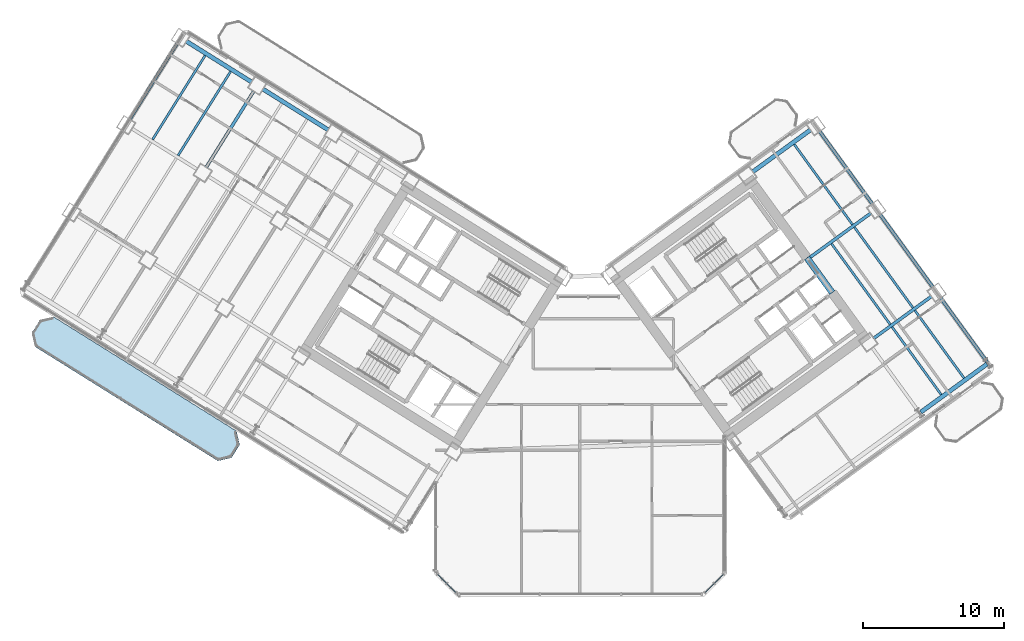
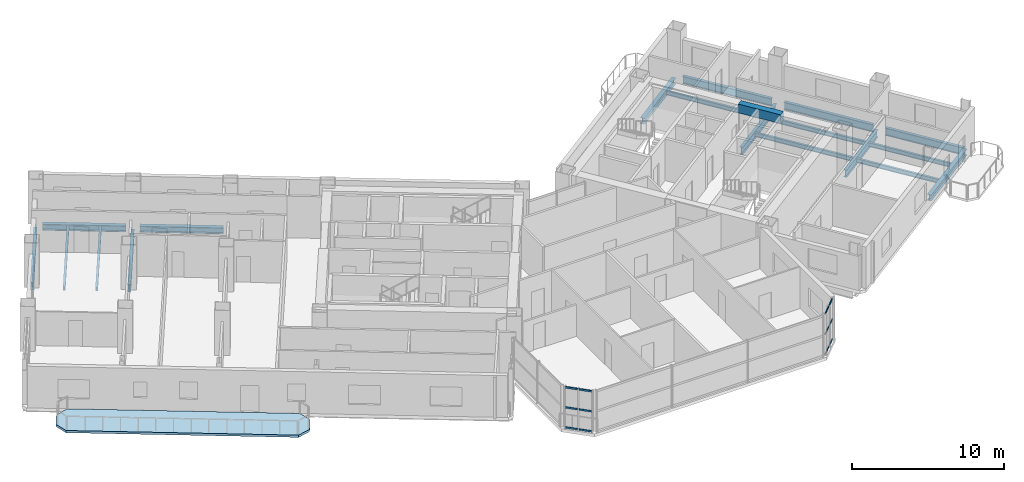
# One storey, part 12 of 28: 19 beams, 12 members, 1 slab, 2 elements without a shape of their own.
"""IFC4 building model written with IfcOpenShell, lengths in metres."""

from ifc_helpers import new_model, si_unit, direction, frame, origin, origin_2d, place, context, subcontext, project, spatial, polyline, rectangle, hollow_rectangle, i_section, outline, extrude, source, transform, mapped, material, layer, layer_set, material_profile, profile_set, type_object, element, aggregate, save


model = new_model("IFC4")

# Units and contexts
model_context = context("Model", 3, precision=1e-05, world=origin(), true_north=direction((0.0, 1.0)))
body_context = subcontext(model_context, "Body", "Model", "MODEL_VIEW")
ifc_project = project(units=[si_unit("LENGTHUNIT", "METRE"), si_unit("AREAUNIT", "SQUARE_METRE"), si_unit("VOLUMEUNIT", "CUBIC_METRE"), si_unit("PLANEANGLEUNIT", "RADIAN"), si_unit("MASSUNIT", "GRAM", prefix="KILO")], contexts=[model_context])

# Site, building, storey
site_placement = place(None, origin())
site = spatial("IfcSite", under=ifc_project, at=site_placement, CompositionType="ELEMENT")
building_placement = place(site_placement, origin())
building = spatial("IfcBuilding", under=site, at=building_placement, Name="Tlacorven Tower", CompositionType="ELEMENT")
storey_placement = place(building_placement, frame((0.0, 0.0, 42.0)))
storey = spatial("IfcBuildingStorey", under=building, at=storey_placement, Name="L10", CompositionType="ELEMENT", Elevation=42.0)

# Beams
ifc_material_1 = material(Name="Concrete C60/75", Category="concrete")
ifc_material_profile_1 = material_profile(ifc_material_1, rectangle(XDim=0.449951171875, YDim=0.699951171875, at=origin_2d()), Name="RC 450X700")
ifc_profile_set_1 = profile_set([ifc_material_profile_1], Name="Concrete C60/75")
beam_type_1 = type_object("IfcBeamType", Name="BM-LNT-700", PredefinedType="LINTEL", material=ifc_profile_set_1)
shared_shape_1 = source(origin(), body_context, "Body", "SweptSolid", [
    extrude(rectangle(XDim=0.449951171875, YDim=0.699951171875, at=origin_2d()), origin(), (0.0, 0.0, 1.0), 3.050048828125),
])
beam_1_placement = place(storey_placement, frame((59.856689453125, 23.345947265625, 3.0), z_axis=(-0.587776590479, 0.80902328748, 0.0), x_axis=(-0.80902328748, -0.587776590479, 0.0)))
element("IfcBeam", 1, at=beam_1_placement, inside=storey, type_object=beam_type_1, Name="L10 E core coupling lintel beam E2", PredefinedType="LINTEL", context=body_context, shape_type="MappedRepresentation", body=[
    mapped(shared_shape_1, transform((0.0, 0.0, 0.0), scale=1.0)),
])
ifc_material_2 = material(Name="Steel S355J2", Category="steel")
ifc_material_profile_2 = material_profile(ifc_material_2, i_section(OverallWidth=0.300048828125, OverallDepth=0.489990234375, WebThickness=0.011962890625, FlangeThickness=0.02294921875, at=origin_2d()), Name="HEA 500")
ifc_profile_set_2 = profile_set([ifc_material_profile_2], Name="Steel S355J2")
beam_type_2 = type_object("IfcBeamType", Name="BM-SPN-500", PredefinedType="SPANDREL", material=ifc_profile_set_2)
shared_shape_2 = source(origin(), body_context, "Body", "SweptSolid", [
    extrude(i_section(OverallWidth=0.300048828125, OverallDepth=0.489990234375, WebThickness=0.011962890625, FlangeThickness=0.02294921875, at=origin_2d()), origin(), (0.0, 0.0, 1.0), 5.5),
])
for number, where, z_axis, x_axis, name in (
    (2, (24.118896484375, 34.88134765625, -0.4951171875), (-0.848050668838, 0.52991514706, 0.0), (-0.52991514706, -0.848050668838, 0.0), "L10 beam BM-L10-WL1-4"),
    (3, (18.69140625, 38.272705078125, -0.4951171875), (-0.848050668838, 0.52991514706, 0.0), (-0.52991514706, -0.848050668838, 0.0), "L10 beam BM-L10-WL1-5"),
):
    element("IfcBeam", number, at=place(storey_placement, frame(where, z_axis=z_axis, x_axis=x_axis)), inside=storey, type_object=beam_type_2, Name=name, PredefinedType="SPANDREL", context=body_context, shape_type="MappedRepresentation", body=[
        mapped(shared_shape_2, transform((0.0, 0.0, 0.0), scale=1.0)),
    ])
ifc_material_profile_3 = material_profile(ifc_material_2, i_section(OverallWidth=0.219970703125, OverallDepth=0.60009765625, WebThickness=0.011962890625, FlangeThickness=0.01904296875, at=origin_2d()), Name="IPE 600")
ifc_profile_set_3 = profile_set([ifc_material_profile_3], Name="Steel S355J2")
beam_type_3 = type_object("IfcBeamType", Name="BM-TWR-600", PredefinedType="BEAM", material=ifc_profile_set_3)
shared_shape_3 = source(origin(), body_context, "Body", "SweptSolid", [
    extrude(i_section(OverallWidth=0.219970703125, OverallDepth=0.60009765625, WebThickness=0.011962890625, FlangeThickness=0.01904296875, at=origin_2d()), origin(), (0.0, 0.0, 1.0), 5.650146484375),
])
beam_2_placement = place(storey_placement, frame((70.853271484375, 18.41845703125, -0.550048828125), z_axis=(-0.587783675561, 0.809018139935, 0.0), x_axis=(-0.809018139935, -0.587783675561, 0.0)))
element("IfcBeam", 4, at=beam_2_placement, inside=storey, type_object=beam_type_3, Name="L10 beam BM-L10-ET4-1", PredefinedType="BEAM", context=body_context, shape_type="MappedRepresentation", body=[
    mapped(shared_shape_3, transform((0.0, 0.0, 0.0), scale=1.0)),
])
shared_shape_4 = source(origin(), body_context, "Body", "SweptSolid", [
    extrude(i_section(OverallWidth=0.219970703125, OverallDepth=0.60009765625, WebThickness=0.011962890625, FlangeThickness=0.01904296875, at=origin_2d()), origin(), (0.0, 0.0, 1.0), 6.39990234375),
])
for number, where, z_axis, x_axis, name in (
    (5, (67.003173828125, 23.717529296875, -0.550048828125), (-0.587772420479, 0.809026317077, 0.0), (-0.809026317077, -0.587772420479, 0.0), "L10 beam BM-L10-ET4-2"),
    (6, (62.71240234375, 29.62353515625, -0.550048828125), (-0.587815528162, 0.808994996803, 0.0), (-0.808994996803, -0.587815528162, 0.0), "L10 beam BM-L10-ET4-3"),
):
    element("IfcBeam", number, at=place(storey_placement, frame(where, z_axis=z_axis, x_axis=x_axis)), inside=storey, type_object=beam_type_3, Name=name, PredefinedType="BEAM", context=body_context, shape_type="MappedRepresentation", body=[
        mapped(shared_shape_4, transform((0.0, 0.0, 0.0), scale=1.0)),
    ])
shared_shape_5 = source(origin(), body_context, "Body", "SweptSolid", [
    extrude(i_section(OverallWidth=0.219970703125, OverallDepth=0.60009765625, WebThickness=0.011962890625, FlangeThickness=0.01904296875, at=origin_2d()), origin(), (0.0, 0.0, 1.0), 6.400146484375),
])
for number, where, z_axis, x_axis, name in (
    (7, (18.83447265625, 37.652587890625, -0.550048828125), (-0.529933789039, -0.848039019877, 0.0), (0.848039019877, -0.529933789039, 0.0), "L10 beam BM-L10-WT5-1"),
    (8, (13.406982421875, 41.044189453125, -0.550048828125), (-0.529933789039, -0.848039019877, 0.0), (0.848039019877, -0.529933789039, 0.0), "L10 beam BM-L10-WT6-1"),
):
    element("IfcBeam", number, at=place(storey_placement, frame(where, z_axis=z_axis, x_axis=x_axis)), inside=storey, type_object=beam_type_3, Name=name, PredefinedType="BEAM", context=body_context, shape_type="MappedRepresentation", body=[
        mapped(shared_shape_5, transform((0.0, 0.0, 0.0), scale=1.0)),
    ])
ifc_material_profile_4 = material_profile(ifc_material_2, i_section(OverallWidth=0.159912109375, OverallDepth=0.330078125, WebThickness=0.007568359375, FlangeThickness=0.011474609375, at=origin_2d()), Name="IPE 330")
ifc_profile_set_4 = profile_set([ifc_material_profile_4], Name="Steel S355J2")
beam_type_4 = type_object("IfcBeamType", Name="BM-JST-330", PredefinedType="JOIST", material=ifc_profile_set_4)
shared_shape_6 = source(origin(), body_context, "Body", "SweptSolid", [
    extrude(i_section(OverallWidth=0.159912109375, OverallDepth=0.330078125, WebThickness=0.007568359375, FlangeThickness=0.011474609375, at=origin_2d()), origin(), (0.0, 0.0, 1.0), 7.030029296875),
])
for number, where, z_axis, x_axis, name in (
    (9, (17.181640625, 39.033447265625, -0.4150390625), (-0.529911532383, -0.848052927504, 0.0), (0.848052927504, -0.529911532383, 0.0), "L10 beam BM-L10-WJ5-1-1"),
    (10, (15.372314453125, 40.163818359375, -0.4150390625), (-0.529927139185, -0.84804317529, 0.0), (0.84804317529, -0.529927139185, 0.0), "L10 beam BM-L10-WJ5-1-2"),
    (11, (61.291259765625, 28.1767578125, -0.4150390625), (-0.587773097846, 0.809025824958, 0.0), (-0.809025824958, -0.587773097846, 0.0), "L10 beam BM-L10-EJ3-3-2"),
):
    element("IfcBeam", number, at=place(storey_placement, frame(where, z_axis=z_axis, x_axis=x_axis)), inside=storey, type_object=beam_type_4, Name=name, PredefinedType="JOIST", context=body_context, shape_type="MappedRepresentation", body=[
        mapped(shared_shape_6, transform((0.0, 0.0, 0.0), scale=1.0)),
    ])
shared_shape_7 = source(origin(), body_context, "Body", "SweptSolid", [
    extrude(i_section(OverallWidth=0.159912109375, OverallDepth=0.330078125, WebThickness=0.007568359375, FlangeThickness=0.011474609375, at=origin_2d()), origin(), (0.0, 0.0, 1.0), 5.93017578125),
])
for number, where, z_axis, x_axis, name in (
    (12, (67.584716796875, 16.11181640625, -0.4150390625), (-0.587777512947, 0.809022617282, 0.0), (-0.809022617282, -0.587777512947, 0.0), "L10 beam BM-L10-EJ3-1-1"),
    (13, (69.202880859375, 17.287353515625, -0.4150390625), (-0.587777512947, 0.809022617282, 0.0), (-0.809022617282, -0.587777512947, 0.0), "L10 beam BM-L10-EJ3-1-2"),
):
    element("IfcBeam", number, at=place(storey_placement, frame(where, z_axis=z_axis, x_axis=x_axis)), inside=storey, type_object=beam_type_4, Name=name, PredefinedType="JOIST", context=body_context, shape_type="MappedRepresentation", body=[
        mapped(shared_shape_7, transform((0.0, 0.0, 0.0), scale=1.0)),
    ])
shared_shape_8 = source(origin(), body_context, "Body", "SweptSolid", [
    extrude(i_section(OverallWidth=0.159912109375, OverallDepth=0.330078125, WebThickness=0.007568359375, FlangeThickness=0.011474609375, at=origin_2d()), origin(), (0.0, 0.0, 1.0), 7.070068359375),
])
beam_3_placement = place(storey_placement, frame((63.964111328125, 21.095458984375, -0.4150390625), z_axis=(-0.587797946309, 0.80900777148, 0.0), x_axis=(-0.80900777148, -0.587797946309, 0.0)))
element("IfcBeam", 14, at=beam_3_placement, inside=storey, type_object=beam_type_4, Name="L10 beam BM-L10-EJ3-2-1", PredefinedType="JOIST", context=body_context, shape_type="MappedRepresentation", body=[
    mapped(shared_shape_8, transform((0.0, 0.0, 0.0), scale=1.0)),
])
shared_shape_9 = source(origin(), body_context, "Body", "SweptSolid", [
    extrude(i_section(OverallWidth=0.159912109375, OverallDepth=0.330078125, WebThickness=0.007568359375, FlangeThickness=0.011474609375, at=origin_2d()), origin(), (0.0, 0.0, 1.0), 7.06982421875),
])
beam_4_placement = place(storey_placement, frame((65.58203125, 22.27099609375, -0.4150390625), z_axis=(-0.58777534487, 0.809024192446, 0.0), x_axis=(-0.809024192446, -0.58777534487, 0.0)))
element("IfcBeam", 15, at=beam_4_placement, inside=storey, type_object=beam_type_4, Name="L10 beam BM-L10-EJ3-2-2", PredefinedType="JOIST", context=body_context, shape_type="MappedRepresentation", body=[
    mapped(shared_shape_9, transform((0.0, 0.0, 0.0), scale=1.0)),
])
shared_shape_10 = source(origin(), body_context, "Body", "SweptSolid", [
    extrude(i_section(OverallWidth=0.300048828125, OverallDepth=0.489990234375, WebThickness=0.011962890625, FlangeThickness=0.02294921875, at=origin_2d()), origin(), (0.0, 0.0, 1.0), 5.800048828125),
])
beam_5_placement = place(storey_placement, frame((66.138671875, 14.86962890625, -0.4951171875), z_axis=(0.809019944521, 0.587781191743, 0.0), x_axis=(-0.587781191743, 0.809019944521, 0.0)))
element("IfcBeam", 16, at=beam_5_placement, inside=storey, type_object=beam_type_2, Name="L10 beam BM-L10-EL1-3", PredefinedType="SPANDREL", context=body_context, shape_type="MappedRepresentation", body=[
    mapped(shared_shape_10, transform((0.0, 0.0, 0.0), scale=1.0)),
])
shared_shape_11 = source(origin(), body_context, "Body", "SweptSolid", [
    extrude(i_section(OverallWidth=0.219970703125, OverallDepth=0.60009765625, WebThickness=0.011962890625, FlangeThickness=0.01904296875, at=origin_2d()), origin(), (0.0, 0.0, 1.0), 5.10009765625),
])
beam_6_placement = place(storey_placement, frame((62.777587890625, 20.09130859375, -0.550048828125), z_axis=(0.809007176828, 0.58779876475, 0.0), x_axis=(-0.58779876475, 0.809007176828, 0.0)))
element("IfcBeam", 17, at=beam_6_placement, inside=storey, type_object=beam_type_3, Name="L10 beam BM-L10-EL2-3", PredefinedType="BEAM", context=body_context, shape_type="MappedRepresentation", body=[
    mapped(shared_shape_11, transform((0.0, 0.0, 0.0), scale=1.0)),
])
shared_shape_12 = source(origin(), body_context, "Body", "SweptSolid", [
    extrude(i_section(OverallWidth=0.219970703125, OverallDepth=0.60009765625, WebThickness=0.011962890625, FlangeThickness=0.01904296875, at=origin_2d()), origin(), (0.0, 0.0, 1.0), 5.510009765625),
])
beam_7_placement = place(storey_placement, frame((58.155029296875, 25.756103515625, -0.550048828125), z_axis=(0.809015730594, 0.587786991734, 0.0), x_axis=(-0.587786991734, 0.809015730594, 0.0)))
element("IfcBeam", 18, at=beam_7_placement, inside=storey, type_object=beam_type_3, Name="L10 beam BM-L10-EL3-3", PredefinedType="BEAM", context=body_context, shape_type="MappedRepresentation", body=[
    mapped(shared_shape_12, transform((0.0, 0.0, 0.0), scale=1.0)),
])
shared_shape_13 = source(origin(), body_context, "Body", "SweptSolid", [
    extrude(i_section(OverallWidth=0.300048828125, OverallDepth=0.489990234375, WebThickness=0.011962890625, FlangeThickness=0.02294921875, at=origin_2d()), origin(), (0.0, 0.0, 1.0), 5.099853515625),
])
beam_8_placement = place(storey_placement, frame((54.196044921875, 31.903076171875, -0.4951171875), z_axis=(0.809029940764, 0.587767432704, 0.0), x_axis=(-0.587767432704, 0.809029940764, 0.0)))
element("IfcBeam", 19, at=beam_8_placement, inside=storey, type_object=beam_type_2, Name="L10 beam BM-L10-EL4-3", PredefinedType="SPANDREL", context=body_context, shape_type="MappedRepresentation", body=[
    mapped(shared_shape_13, transform((0.0, 0.0, 0.0), scale=1.0)),
])

# Curtain wall, members
ifc_material_3 = material(Name="Dark solar low-E double glazing in aluminium frame", Category="aluminium")
curtain_wall_type = type_object("IfcCurtainWallType", Name="CW-TWR-LOW", PredefinedType="USERDEFINED", material=ifc_material_3)
curtain_wall_1_placement = place(storey_placement, origin())
curtain_wall_1 = element("IfcCurtainWall", 20, at=curtain_wall_1_placement, inside=storey, type_object=curtain_wall_type, Name="L10 CW-TWR-LOW Curtain Wall 51", ObjectType="UNITISED CURTAIN WALL", PredefinedType="USERDEFINED")
ifc_material_4 = material(Name="Aluminium 6063-T6 anodised", Category="aluminium")
ifc_material_profile_5 = material_profile(ifc_material_4, hollow_rectangle(XDim=0.06005859375, YDim=0.139892578125, WallThickness=0.00390625, at=origin_2d()), Name="ALU TRANSOM 60X140")
ifc_profile_set_5 = profile_set([ifc_material_profile_5], Name="Aluminium 6063-T6 anodised")
member_type = type_object("IfcMemberType", Name="CWT-02", PredefinedType="USERDEFINED", material=ifc_profile_set_5)
shared_shape_14 = source(origin(), body_context, "Body", "SweptSolid", [
    extrude(hollow_rectangle(XDim=0.06005859375, YDim=0.139892578125, WallThickness=0.00390625, at=origin_2d()), origin(), (0.0, 0.0, 1.0), 0.8837890625),
])
member_1_placement = place(storey_placement, frame((52.128173828125, 3.3544921875, 0.070068359375), z_axis=(-0.707106781187, -0.707106781187, 0.0), x_axis=(0.707106781187, -0.707106781187, 0.0)))
member_1 = element("IfcMember", 21, at=member_1_placement, type_object=member_type, Name="CW-L10-051 Transom 1", ObjectType="TRANSOM", PredefinedType="USERDEFINED", context=body_context, shape_type="MappedRepresentation", body=[
    mapped(shared_shape_14, transform((0.0, 0.0, 0.0), scale=1.0)),
])
member_2_placement = place(storey_placement, frame((52.128173828125, 3.3544921875, 1.675048828125), z_axis=(-0.707106781187, -0.707106781187, 0.0), x_axis=(0.707106781187, -0.707106781187, 0.0)))
member_2 = element("IfcMember", 22, at=member_2_placement, type_object=member_type, Name="CW-L10-051 Transom 2", ObjectType="TRANSOM", PredefinedType="USERDEFINED", context=body_context, shape_type="MappedRepresentation", body=[
    mapped(shared_shape_14, transform((0.0, 0.0, 0.0), scale=1.0)),
])
member_3_placement = place(storey_placement, frame((52.128173828125, 3.3544921875, 3.280029296875), z_axis=(-0.707106781187, -0.707106781187, 0.0), x_axis=(0.707106781187, -0.707106781187, 0.0)))
member_3 = element("IfcMember", 23, at=member_3_placement, type_object=member_type, Name="CW-L10-051 Transom 3", ObjectType="TRANSOM", PredefinedType="USERDEFINED", context=body_context, shape_type="MappedRepresentation", body=[
    mapped(shared_shape_14, transform((0.0, 0.0, 0.0), scale=1.0)),
])

curtain_wall_2_placement = place(storey_placement, origin())
curtain_wall_2 = element("IfcCurtainWall", 24, at=curtain_wall_2_placement, inside=storey, type_object=curtain_wall_type, Name="L10 CW-TWR-LOW Curtain Wall 53", ObjectType="UNITISED CURTAIN WALL", PredefinedType="USERDEFINED")
member_4_placement = place(storey_placement, frame((32.496826171875, 2.7294921875, 0.070068359375), z_axis=(-0.707106781187, 0.707106781187, 0.0), x_axis=(-0.707106781187, -0.707106781187, 0.0)))
member_4 = element("IfcMember", 25, at=member_4_placement, type_object=member_type, Name="CW-L10-053 Transom 4", ObjectType="TRANSOM", PredefinedType="USERDEFINED", context=body_context, shape_type="MappedRepresentation", body=[
    mapped(shared_shape_14, transform((0.0, 0.0, 0.0), scale=1.0)),
])
member_5_placement = place(storey_placement, frame((32.496826171875, 2.7294921875, 1.675048828125), z_axis=(-0.707106781187, 0.707106781187, 0.0), x_axis=(-0.707106781187, -0.707106781187, 0.0)))
member_5 = element("IfcMember", 26, at=member_5_placement, type_object=member_type, Name="CW-L10-053 Transom 5", ObjectType="TRANSOM", PredefinedType="USERDEFINED", context=body_context, shape_type="MappedRepresentation", body=[
    mapped(shared_shape_14, transform((0.0, 0.0, 0.0), scale=1.0)),
])
member_6_placement = place(storey_placement, frame((32.496826171875, 2.7294921875, 3.280029296875), z_axis=(-0.707106781187, 0.707106781187, 0.0), x_axis=(-0.707106781187, -0.707106781187, 0.0)))
member_6 = element("IfcMember", 27, at=member_6_placement, type_object=member_type, Name="CW-L10-053 Transom 6", ObjectType="TRANSOM", PredefinedType="USERDEFINED", context=body_context, shape_type="MappedRepresentation", body=[
    mapped(shared_shape_14, transform((0.0, 0.0, 0.0), scale=1.0)),
])

# Member
shared_shape_15 = source(origin(), body_context, "Body", "SweptSolid", [
    extrude(hollow_rectangle(XDim=0.06005859375, YDim=0.139892578125, WallThickness=0.00390625, at=origin_2d()), origin(), (0.0, 0.0, 1.0), 0.884033203125),
])
member_7_placement = place(storey_placement, frame((51.470703125, 2.69677734375, 0.070068359375), z_axis=(-0.707244847527, -0.706968687883, 0.0), x_axis=(0.706968687883, -0.707244847527, 0.0)))
member_7 = element("IfcMember", 28, at=member_7_placement, type_object=member_type, Name="CW-L10-051 Transom 4", ObjectType="TRANSOM", PredefinedType="USERDEFINED", context=body_context, shape_type="MappedRepresentation", body=[
    mapped(shared_shape_15, transform((0.0, 0.0, 0.0), scale=1.0)),
])

member_8_placement = place(storey_placement, frame((51.470703125, 2.69677734375, 1.675048828125), z_axis=(-0.707244847527, -0.706968687883, 0.0), x_axis=(0.706968687883, -0.707244847527, 0.0)))
member_8 = element("IfcMember", 29, at=member_8_placement, type_object=member_type, Name="CW-L10-051 Transom 5", ObjectType="TRANSOM", PredefinedType="USERDEFINED", context=body_context, shape_type="MappedRepresentation", body=[
    mapped(shared_shape_15, transform((0.0, 0.0, 0.0), scale=1.0)),
])

member_9_placement = place(storey_placement, frame((51.470703125, 2.69677734375, 3.280029296875), z_axis=(-0.707244847527, -0.706968687883, 0.0), x_axis=(0.706968687883, -0.707244847527, 0.0)))
member_9 = element("IfcMember", 30, at=member_9_placement, type_object=member_type, Name="CW-L10-051 Transom 6", ObjectType="TRANSOM", PredefinedType="USERDEFINED", context=body_context, shape_type="MappedRepresentation", body=[
    mapped(shared_shape_15, transform((0.0, 0.0, 0.0), scale=1.0)),
])

aggregate(curtain_wall_1, [member_1, member_2, member_3, member_7, member_8, member_9])

member_10_placement = place(storey_placement, frame((33.154541015625, 2.07177734375, 0.070068359375), z_axis=(-0.707244847527, 0.706968687883, 0.0), x_axis=(-0.706968687883, -0.707244847527, 0.0)))
member_10 = element("IfcMember", 31, at=member_10_placement, type_object=member_type, Name="CW-L10-053 Transom 1", ObjectType="TRANSOM", PredefinedType="USERDEFINED", context=body_context, shape_type="MappedRepresentation", body=[
    mapped(shared_shape_15, transform((0.0, 0.0, 0.0), scale=1.0)),
])

member_11_placement = place(storey_placement, frame((33.154541015625, 2.07177734375, 1.675048828125), z_axis=(-0.707244847527, 0.706968687883, 0.0), x_axis=(-0.706968687883, -0.707244847527, 0.0)))
member_11 = element("IfcMember", 32, at=member_11_placement, type_object=member_type, Name="CW-L10-053 Transom 2", ObjectType="TRANSOM", PredefinedType="USERDEFINED", context=body_context, shape_type="MappedRepresentation", body=[
    mapped(shared_shape_15, transform((0.0, 0.0, 0.0), scale=1.0)),
])

member_12_placement = place(storey_placement, frame((33.154541015625, 2.07177734375, 3.280029296875), z_axis=(-0.707244847527, 0.706968687883, 0.0), x_axis=(-0.706968687883, -0.707244847527, 0.0)))
member_12 = element("IfcMember", 33, at=member_12_placement, type_object=member_type, Name="CW-L10-053 Transom 3", ObjectType="TRANSOM", PredefinedType="USERDEFINED", context=body_context, shape_type="MappedRepresentation", body=[
    mapped(shared_shape_15, transform((0.0, 0.0, 0.0), scale=1.0)),
])

aggregate(curtain_wall_2, [member_10, member_11, member_12, member_4, member_5, member_6])

# Slab
ifc_material_5 = material(Name="Precast concrete C45/55", Category="concrete")
ifc_layer = layer(ifc_material_5, 0.179931640625)
ifc_layer_set = layer_set([ifc_layer], Name="Precast concrete C45/55")
slab_type = type_object("IfcSlabType", Name="SL-BAL-180", PredefinedType="USERDEFINED", material=ifc_layer_set)
slab_placement = place(storey_placement, frame((0.0, 0.0, -0.179931640625)))
element("IfcSlab", 34, at=slab_placement, inside=storey, type_object=slab_type, Name="L10 West Wing Balcony Ribbon OUT", ObjectType="BALCONY SLAB", PredefinedType="USERDEFINED", context=body_context, shape_type="SweptSolid", body=[
    extrude(outline(polyline([(17.601318359375, 13.52490234375), (4.626220703125, 21.632568359375), (3.66162109375, 21.409912109375), (3.081298828125, 20.4814453125), (3.303955078125, 19.516845703125), (16.279052734375, 11.408935546875), (17.24365234375, 11.6318359375), (17.823974609375, 12.560302734375), (17.601318359375, 13.52490234375)])), origin(), (0.0, 0.0, 1.0), 0.179931640625),
])

save(model, "model.ifc")
